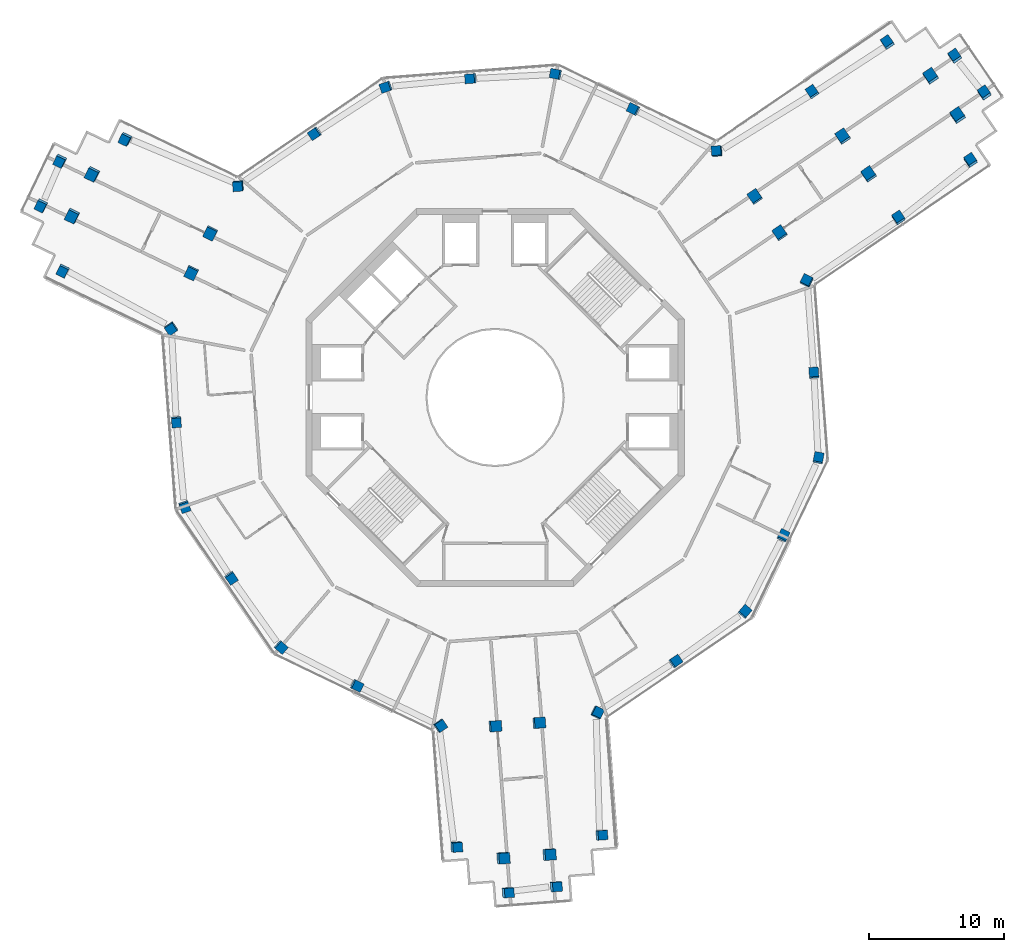
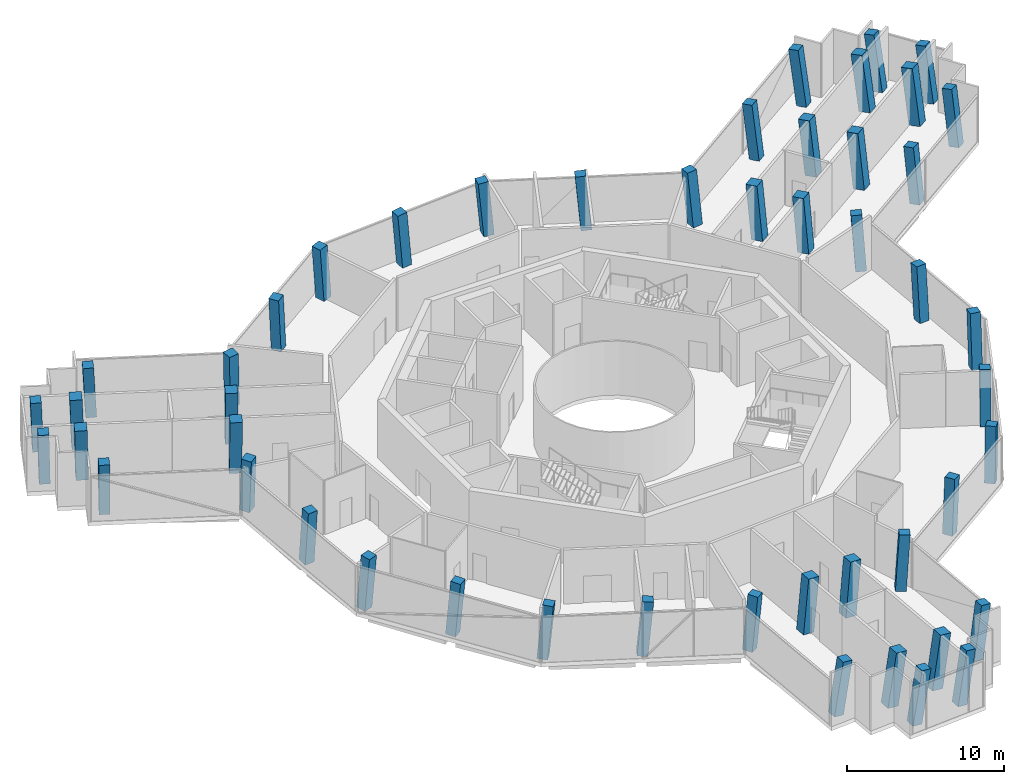
# One storey, part 1 of 19: 49 columns.
"""IFC4 building model written with IfcOpenShell, lengths in metres."""

from ifc_helpers import new_model, si_unit, direction, frame, origin, origin_2d, place, context, subcontext, project, spatial, rectangle, extrude, material, material_profile, profile_set, type_object, element, save


model = new_model("IFC4")

# Units and contexts
model_context = context("Model", 3, precision=1e-05, world=origin(), true_north=direction((0.0, 1.0)))
body_context = subcontext(model_context, "Body", "Model", "MODEL_VIEW")
ifc_project = project(units=[si_unit("LENGTHUNIT", "METRE"), si_unit("AREAUNIT", "SQUARE_METRE"), si_unit("VOLUMEUNIT", "CUBIC_METRE"), si_unit("PLANEANGLEUNIT", "RADIAN"), si_unit("MASSUNIT", "GRAM", prefix="KILO")], contexts=[model_context])

# Site, building, storey
site_placement = place(None, origin())
site = spatial("IfcSite", under=ifc_project, at=site_placement, CompositionType="ELEMENT")
building_placement = place(site_placement, origin())
building = spatial("IfcBuilding", under=site, at=building_placement, Name="Verdalira Terraces Hotel", CompositionType="ELEMENT")
storey_placement = place(building_placement, frame((0.0, 0.0, 295.0)))
storey = spatial("IfcBuildingStorey", under=building, at=storey_placement, Name="L73", CompositionType="ELEMENT", Elevation=295.0)

# Columns
ifc_material_1 = material(Name="Concrete C50", Category="concrete")
ifc_material_profile_1 = material_profile(ifc_material_1, rectangle(XDim=0.699951, YDim=0.699951, at=origin_2d()), Name="RC 700X700")
ifc_profile_set_1 = profile_set([ifc_material_profile_1], Name="Concrete C50")
column_type_1 = type_object("IfcColumnType", Name="Column RC 700X700 C50", PredefinedType="COLUMN", material=ifc_profile_set_1)
column_1_placement = place(storey_placement, frame((-27.330811, 19.144531, 0.0), z_axis=(-0.10306672, -0.086091025, 0.990941767), x_axis=(-0.896847631, 0.438888096, -0.055150383)))
element("IfcColumn", 1, at=column_1_placement, inside=storey, type_object=column_type_1, Name="Column C01", PredefinedType="COLUMN", context=body_context, shape_type="SweptSolid", body=[
    extrude(rectangle(XDim=0.699951, YDim=0.699951, at=origin_2d()), origin(), (0.0, 0.0, 1.0), 4.228271),
])
column_2_placement = place(storey_placement, frame((-31.966064, 9.412109, 0.0), z_axis=(-0.067135487, -0.103102992, 0.992402438), x_axis=(0.900298764, -0.434988788, 0.015712729)))
element("IfcColumn", 2, at=column_2_placement, inside=storey, type_object=column_type_1, Name="Column C02", PredefinedType="COLUMN", context=body_context, shape_type="SweptSolid", body=[
    extrude(rectangle(XDim=0.699951, YDim=0.699951, at=origin_2d()), origin(), (0.0, 0.0, 1.0), 4.221924),
])
column_3_placement = place(storey_placement, frame((-23.973389, 5.135986, 0.0), z_axis=(-0.018278471, -0.089071279, 0.995857522), x_axis=(-0.566324242, 0.821763084, 0.063105361)))
element("IfcColumn", 3, at=column_3_placement, inside=storey, type_object=column_type_1, Name="Column C03", PredefinedType="COLUMN", context=body_context, shape_type="SweptSolid", body=[
    extrude(rectangle(XDim=0.699951, YDim=0.699951, at=origin_2d()), origin(), (0.0, 0.0, 1.0), 4.207275),
])
column_4_placement = place(storey_placement, frame((-23.591064, -1.781982, 0.0), z_axis=(0.007313464, -0.087471347, 0.996140189), x_axis=(0.074613173, -0.993342185, -0.087773449)))
element("IfcColumn", 4, at=column_4_placement, inside=storey, type_object=column_type_1, Name="Column C04", PredefinedType="COLUMN", context=body_context, shape_type="SweptSolid", body=[
    extrude(rectangle(XDim=0.699951, YDim=0.699951, at=origin_2d()), origin(), (0.0, 0.0, 1.0), 4.206055),
])
column_5_placement = place(storey_placement, frame((-22.976807, -8.05542, 0.0), z_axis=(0.030581945, -0.084956294, 0.995915244), x_axis=(-0.329386102, 0.939868366, 0.090289813)))
element("IfcColumn", 5, at=column_5_placement, inside=storey, type_object=column_type_1, Name="Column C05", PredefinedType="COLUMN", context=body_context, shape_type="SweptSolid", body=[
    extrude(rectangle(XDim=0.699951, YDim=0.699951, at=origin_2d()), origin(), (0.0, 0.0, 1.0), 4.207031),
])
column_6_placement = place(storey_placement, frame((-19.539551, -13.338867, 0.0), z_axis=(0.050091388, -0.072089807, 0.996139505), x_axis=(0.561488906, -0.822815086, -0.087781218)))
element("IfcColumn", 6, at=column_6_placement, inside=storey, type_object=column_type_1, Name="Column C06", PredefinedType="COLUMN", context=body_context, shape_type="SweptSolid", body=[
    extrude(rectangle(XDim=0.699951, YDim=0.699951, at=origin_2d()), origin(), (0.0, 0.0, 1.0), 4.206299),
])
column_7_placement = place(storey_placement, frame((-15.87085, -18.4646, 0.0), z_axis=(0.068940137, -0.05826254, 0.995918036), x_axis=(-0.755201666, 0.649248608, 0.090259013)))
element("IfcColumn", 7, at=column_7_placement, inside=storey, type_object=column_type_1, Name="Column C07", PredefinedType="COLUMN", context=body_context, shape_type="SweptSolid", body=[
    extrude(rectangle(XDim=0.699951, YDim=0.699951, at=origin_2d()), origin(), (0.0, 0.0, 1.0), 4.207031),
])
column_8_placement = place(storey_placement, frame((-10.252197, -21.321533, 0.0), z_axis=(0.079403422, -0.037379974, 0.996141473), x_axis=(0.897653527, -0.43187559, -0.08775888)))
element("IfcColumn", 8, at=column_8_placement, inside=storey, type_object=column_type_1, Name="Column C08", PredefinedType="COLUMN", context=body_context, shape_type="SweptSolid", body=[
    extrude(rectangle(XDim=0.699951, YDim=0.699951, at=origin_2d()), origin(), (0.0, 0.0, 1.0), 4.206055),
])
column_9_placement = place(storey_placement, frame((-4.082031, -24.28833, 0.0), z_axis=(0.090170607, -0.014390161, 0.995822366), x_axis=(-0.559158455, 0.82669577, 0.062577368)))
element("IfcColumn", 9, at=column_9_placement, inside=storey, type_object=column_type_1, Name="Column C09", PredefinedType="COLUMN", context=body_context, shape_type="SweptSolid", body=[
    extrude(rectangle(XDim=0.699951, YDim=0.699951, at=origin_2d()), origin(), (0.0, 0.0, 1.0), 4.20752),
])
column_10_placement = place(storey_placement, frame((-2.914307, -33.241455, 0.0), z_axis=(0.126105048, -0.046192325, 0.990940859), x_axis=(0.068515863, -0.996124344, -0.055153136)))
element("IfcColumn", 10, at=column_10_placement, inside=storey, type_object=column_type_1, Name="Column C10", PredefinedType="COLUMN", context=body_context, shape_type="SweptSolid", body=[
    extrude(rectangle(XDim=0.699951, YDim=0.699951, at=origin_2d()), origin(), (0.0, 0.0, 1.0), 4.228271),
])
column_11_placement = place(storey_placement, frame((0.891357, -36.624268, 0.0), z_axis=(0.138311783, -0.032068954, 0.989869402), x_axis=(0.987548826, 0.08010113, -0.135392487)))
element("IfcColumn", 11, at=column_11_placement, inside=storey, type_object=column_type_1, Name="Column C11", PredefinedType="COLUMN", context=body_context, shape_type="SweptSolid", body=[
    extrude(rectangle(XDim=0.699951, YDim=0.699951, at=origin_2d()), origin(), (0.0, 0.0, 1.0), 4.23291),
])
column_12_placement = place(storey_placement, frame((4.449219, -36.195068, 0.0), z_axis=(0.136659784, -0.018929227, 0.99043717), x_axis=(0.987751433, 0.078610587, -0.134786803)))
element("IfcColumn", 12, at=column_12_placement, inside=storey, type_object=column_type_1, Name="Column C12", PredefinedType="COLUMN", context=body_context, shape_type="SweptSolid", body=[
    extrude(rectangle(XDim=0.699951, YDim=0.699951, at=origin_2d()), origin(), (0.0, 0.0, 1.0), 4.230469),
])
column_13_placement = place(storey_placement, frame((7.832031, -32.389404, 0.0), z_axis=(0.122822053, -0.006592144, 0.992406815), x_axis=(-0.073402114, 0.997178711, 0.01570822)))
element("IfcColumn", 13, at=column_13_placement, inside=storey, type_object=column_type_1, Name="Column C13", PredefinedType="COLUMN", context=body_context, shape_type="SweptSolid", body=[
    extrude(rectangle(XDim=0.699951, YDim=0.699951, at=origin_2d()), origin(), (0.0, 0.0, 1.0), 4.221924),
])
column_14_placement = place(storey_placement, frame((7.538818, -23.32959, 0.0), z_axis=(0.086228285, 0.028723419, 0.995861259), x_axis=(-0.42819106, -0.901484173, 0.063076948)))
element("IfcColumn", 14, at=column_14_placement, inside=storey, type_object=column_type_1, Name="Column C14", PredefinedType="COLUMN", context=body_context, shape_type="SweptSolid", body=[
    extrude(rectangle(XDim=0.699951, YDim=0.699951, at=origin_2d()), origin(), (0.0, 0.0, 1.0), 4.207275),
])
column_15_placement = place(storey_placement, frame((13.338867, -19.539551, 0.0), z_axis=(0.072089807, 0.050091388, 0.996139505), x_axis=(0.822815086, 0.561488906, -0.087781218)))
element("IfcColumn", 15, at=column_15_placement, inside=storey, type_object=column_type_1, Name="Column C15", PredefinedType="COLUMN", context=body_context, shape_type="SweptSolid", body=[
    extrude(rectangle(XDim=0.699951, YDim=0.699951, at=origin_2d()), origin(), (0.0, 0.0, 1.0), 4.206299),
])
column_16_placement = place(storey_placement, frame((18.4646, -15.87085, 0.0), z_axis=(0.05826254, 0.068940137, 0.995918036), x_axis=(-0.649248608, -0.755201666, 0.090259013)))
element("IfcColumn", 16, at=column_16_placement, inside=storey, type_object=column_type_1, Name="Column C16", PredefinedType="COLUMN", context=body_context, shape_type="SweptSolid", body=[
    extrude(rectangle(XDim=0.699951, YDim=0.699951, at=origin_2d()), origin(), (0.0, 0.0, 1.0), 4.207031),
])
column_17_placement = place(storey_placement, frame((21.321533, -10.252197, 0.0), z_axis=(0.037379974, 0.079403422, 0.996141473), x_axis=(0.43187559, 0.897653527, -0.08775888)))
element("IfcColumn", 17, at=column_17_placement, inside=storey, type_object=column_type_1, Name="Column C17", PredefinedType="COLUMN", context=body_context, shape_type="SweptSolid", body=[
    extrude(rectangle(XDim=0.699951, YDim=0.699951, at=origin_2d()), origin(), (0.0, 0.0, 1.0), 4.206055),
])
column_18_placement = place(storey_placement, frame((23.92627, -4.512207, 0.0), z_axis=(0.015958359, 0.088844536, 0.995917657), x_axis=(-0.184343741, -0.978708302, 0.090263194)))
element("IfcColumn", 18, at=column_18_placement, inside=storey, type_object=column_type_1, Name="Column C18", PredefinedType="COLUMN", context=body_context, shape_type="SweptSolid", body=[
    extrude(rectangle(XDim=0.699951, YDim=0.699951, at=origin_2d()), origin(), (0.0, 0.0, 1.0), 4.207031),
])
column_19_placement = place(storey_placement, frame((23.591064, 1.781982, 0.0), z_axis=(-0.007313464, 0.087471347, 0.996140189), x_axis=(-0.074613173, 0.993342185, -0.087773449)))
element("IfcColumn", 19, at=column_19_placement, inside=storey, type_object=column_type_1, Name="Column C19", PredefinedType="COLUMN", context=body_context, shape_type="SweptSolid", body=[
    extrude(rectangle(XDim=0.699951, YDim=0.699951, at=origin_2d()), origin(), (0.0, 0.0, 1.0), 4.206055),
])
column_20_placement = place(storey_placement, frame((23.075439, 8.609131, 0.0), z_axis=(-0.032667907, 0.085296312, 0.995819937), x_axis=(-0.435988525, -0.897772692, 0.06259552)))
element("IfcColumn", 20, at=column_20_placement, inside=storey, type_object=column_type_1, Name="Column C20", PredefinedType="COLUMN", context=body_context, shape_type="SweptSolid", body=[
    extrude(rectangle(XDim=0.699951, YDim=0.699951, at=origin_2d()), origin(), (0.0, 0.0, 1.0), 4.20752),
])
column_21_placement = place(storey_placement, frame((29.869141, 13.24707, 0.0), z_axis=(-0.03485835, 0.120472308, 0.99210449), x_axis=(0.827963617, 0.55943505, -0.038841661)))
element("IfcColumn", 21, at=column_21_placement, inside=storey, type_object=column_type_1, Name="Column C21", PredefinedType="COLUMN", context=body_context, shape_type="SweptSolid", body=[
    extrude(rectangle(XDim=0.699951, YDim=0.699951, at=origin_2d()), origin(), (0.0, 0.0, 1.0), 4.223389),
])
column_22_placement = place(storey_placement, frame((35.200439, 17.479736, 0.0), z_axis=(-0.035579144, 0.150031146, 0.98804088), x_axis=(0.829073809, 0.556462773, -0.054642488)))
element("IfcColumn", 22, at=column_22_placement, inside=storey, type_object=column_type_1, Name="Column C22", PredefinedType="COLUMN", context=body_context, shape_type="SweptSolid", body=[
    extrude(rectangle(XDim=0.699951, YDim=0.699951, at=origin_2d()), origin(), (0.0, 0.0, 1.0), 4.240723),
])
column_23_placement = place(storey_placement, frame((36.227295, 22.467041, 0.0), z_axis=(-0.053870527, 0.153447637, 0.98668728), x_axis=(-0.562357667, 0.811860057, -0.156962104)))
element("IfcColumn", 23, at=column_23_placement, inside=storey, type_object=column_type_1, Name="Column C23", PredefinedType="COLUMN", context=body_context, shape_type="SweptSolid", body=[
    extrude(rectangle(XDim=0.699951, YDim=0.699951, at=origin_2d()), origin(), (0.0, 0.0, 1.0), 4.246582),
])
column_24_placement = place(storey_placement, frame((34.050537, 25.19458, 0.0), z_axis=(-0.063856178, 0.145488536, 0.987297055), x_axis=(-0.560650782, 0.813206434, -0.15609611)))
element("IfcColumn", 24, at=column_24_placement, inside=storey, type_object=column_type_1, Name="Column C24", PredefinedType="COLUMN", context=body_context, shape_type="SweptSolid", body=[
    extrude(rectangle(XDim=0.699951, YDim=0.699951, at=origin_2d()), origin(), (0.0, 0.0, 1.0), 4.243896),
])
column_25_placement = place(storey_placement, frame((29.063232, 26.221436, 0.0), z_axis=(-0.06763421, 0.127369113, 0.989546726), x_axis=(-0.827049902, -0.561906478, 0.015797802)))
element("IfcColumn", 25, at=column_25_placement, inside=storey, type_object=column_type_1, Name="Column C25", PredefinedType="COLUMN", context=body_context, shape_type="SweptSolid", body=[
    extrude(rectangle(XDim=0.699951, YDim=0.699951, at=origin_2d()), origin(), (0.0, 0.0, 1.0), 4.234131),
])
column_26_placement = place(storey_placement, frame((23.498047, 22.57959, 0.0), z_axis=(-0.069193826, 0.09679036, 0.992896692), x_axis=(-0.825870245, -0.563854273, -0.002587846)))
element("IfcColumn", 26, at=column_26_placement, inside=storey, type_object=column_type_1, Name="Column C26", PredefinedType="COLUMN", context=body_context, shape_type="SweptSolid", body=[
    extrude(rectangle(XDim=0.699951, YDim=0.699951, at=origin_2d()), origin(), (0.0, 0.0, 1.0), 4.219971),
])
column_27_placement = place(storey_placement, frame((16.43457, 18.193604, 0.0), z_axis=(-0.067949789, 0.060348233, 0.995861897), x_axis=(0.994849387, 0.079351157, 0.063072103)))
element("IfcColumn", 27, at=column_27_placement, inside=storey, type_object=column_type_1, Name="Column C27", PredefinedType="COLUMN", context=body_context, shape_type="SweptSolid", body=[
    extrude(rectangle(XDim=0.699951, YDim=0.699951, at=origin_2d()), origin(), (0.0, 0.0, 1.0), 4.207275),
])
column_28_placement = place(storey_placement, frame((10.252197, 21.321533, 0.0), z_axis=(-0.079403422, 0.037379974, 0.996141473), x_axis=(-0.897653527, 0.43187559, -0.08775888)))
element("IfcColumn", 28, at=column_28_placement, inside=storey, type_object=column_type_1, Name="Column C28", PredefinedType="COLUMN", context=body_context, shape_type="SweptSolid", body=[
    extrude(rectangle(XDim=0.699951, YDim=0.699951, at=origin_2d()), origin(), (0.0, 0.0, 1.0), 4.206055),
])
column_29_placement = place(storey_placement, frame((4.512207, 23.92627, 0.0), z_axis=(-0.088844536, 0.015958359, 0.995917657), x_axis=(0.978708302, -0.184343741, 0.090263194)))
element("IfcColumn", 29, at=column_29_placement, inside=storey, type_object=column_type_1, Name="Column C29", PredefinedType="COLUMN", context=body_context, shape_type="SweptSolid", body=[
    extrude(rectangle(XDim=0.699951, YDim=0.699951, at=origin_2d()), origin(), (0.0, 0.0, 1.0), 4.207031),
])
column_30_placement = place(storey_placement, frame((-1.781982, 23.591064, 0.0), z_axis=(-0.087471347, -0.007313464, 0.996140189), x_axis=(-0.993342185, -0.074613173, -0.087773449)))
element("IfcColumn", 30, at=column_30_placement, inside=storey, type_object=column_type_1, Name="Column C30", PredefinedType="COLUMN", context=body_context, shape_type="SweptSolid", body=[
    extrude(rectangle(XDim=0.699951, YDim=0.699951, at=origin_2d()), origin(), (0.0, 0.0, 1.0), 4.206055),
])
column_31_placement = place(storey_placement, frame((-8.05542, 22.976807, 0.0), z_axis=(-0.084956294, -0.030581945, 0.995915244), x_axis=(0.939868366, 0.329386102, 0.090289813)))
element("IfcColumn", 31, at=column_31_placement, inside=storey, type_object=column_type_1, Name="Column C31", PredefinedType="COLUMN", context=body_context, shape_type="SweptSolid", body=[
    extrude(rectangle(XDim=0.699951, YDim=0.699951, at=origin_2d()), origin(), (0.0, 0.0, 1.0), 4.207031),
])
column_32_placement = place(storey_placement, frame((-13.338867, 19.539551, 0.0), z_axis=(-0.072089807, -0.050091388, 0.996139505), x_axis=(-0.822815086, -0.561488906, -0.087781218)))
element("IfcColumn", 32, at=column_32_placement, inside=storey, type_object=column_type_1, Name="Column C32", PredefinedType="COLUMN", context=body_context, shape_type="SweptSolid", body=[
    extrude(rectangle(XDim=0.699951, YDim=0.699951, at=origin_2d()), origin(), (0.0, 0.0, 1.0), 4.206299),
])
column_33_placement = place(storey_placement, frame((-18.993408, 15.679199, 0.0), z_axis=(-0.057560792, -0.070848515, 0.995824906), x_axis=(0.995550487, 0.070467558, 0.062558383)))
element("IfcColumn", 33, at=column_33_placement, inside=storey, type_object=column_type_1, Name="Column C33", PredefinedType="COLUMN", context=body_context, shape_type="SweptSolid", body=[
    extrude(rectangle(XDim=0.699951, YDim=0.699951, at=origin_2d()), origin(), (0.0, 0.0, 1.0), 4.20752),
])
column_34_placement = place(storey_placement, frame((-32.16333, 17.540283, 0.0), z_axis=(-0.096899117, -0.103762804, 0.989870619), x_axis=(-0.424202689, -0.895389939, -0.135384397)))
element("IfcColumn", 34, at=column_34_placement, inside=storey, type_object=column_type_1, Name="Column C34", PredefinedType="COLUMN", context=body_context, shape_type="SweptSolid", body=[
    extrude(rectangle(XDim=0.699951, YDim=0.699951, at=origin_2d()), origin(), (0.0, 0.0, 1.0), 4.23291),
])
column_35_placement = place(storey_placement, frame((-33.570312, 14.244385, 0.0), z_axis=(-0.084777018, -0.108900091, 0.990431031), x_axis=(-0.426014043, -0.894613294, -0.134829852)))
element("IfcColumn", 35, at=column_35_placement, inside=storey, type_object=column_type_1, Name="Column C35", PredefinedType="COLUMN", context=body_context, shape_type="SweptSolid", body=[
    extrude(rectangle(XDim=0.699951, YDim=0.699951, at=origin_2d()), origin(), (0.0, 0.0, 1.0), 4.230469),
])
ifc_material_2 = material(Name="Concrete C50", Category="concrete")
ifc_material_profile_2 = material_profile(ifc_material_2, rectangle(XDim=0.800049, YDim=0.800049, at=origin_2d()), Name="RC 800X800")
ifc_profile_set_2 = profile_set([ifc_material_profile_2], Name="Concrete C50")
column_type_2 = type_object("IfcColumnType", Name="Column RC 800X800 C50", PredefinedType="COLUMN", material=ifc_profile_set_2)
for number, where, z_axis, x_axis, name in (
    (36, (-21.057861, 12.185303, 0.0), (-0.044509568, -0.078457544, 0.995923347), (-0.901044746, 0.433683183, -0.00610428), "Column C36"),
    (37, (-22.468994, 9.250488, 0.0), (-0.033600044, -0.083622908, 0.995930844), (-0.901493047, 0.432753067, 0.005921961), "Column C37"),
):
    element("IfcColumn", number, at=place(storey_placement, frame(where, z_axis=z_axis, x_axis=x_axis)), inside=storey, type_object=column_type_2, Name=name, PredefinedType="COLUMN", context=body_context, shape_type="SweptSolid", body=[
        extrude(rectangle(XDim=0.800049, YDim=0.800049, at=origin_2d()), origin(), (0.0, 0.0, 1.0), 4.207031),
    ])
column_36_placement = place(storey_placement, frame((-29.779297, 16.567383, 0.0), z_axis=(-0.093494091, -0.095053288, 0.991072009), x_axis=(-0.897991621, 0.43793471, -0.0427111)))
element("IfcColumn", 38, at=column_36_placement, inside=storey, type_object=column_type_2, Name="Column C38", PredefinedType="COLUMN", context=body_context, shape_type="SweptSolid", body=[
    extrude(rectangle(XDim=0.800049, YDim=0.800049, at=origin_2d()), origin(), (0.0, 0.0, 1.0), 4.227783),
])
column_37_placement = place(storey_placement, frame((-31.26416, 13.479492, 0.0), z_axis=(-0.082098814, -0.10052916, 0.99154106), x_axis=(-0.899185189, 0.436525282, -0.030193926)))
element("IfcColumn", 39, at=column_37_placement, inside=storey, type_object=column_type_2, Name="Column C39", PredefinedType="COLUMN", context=body_context, shape_type="SweptSolid", body=[
    extrude(rectangle(XDim=0.800049, YDim=0.800049, at=origin_2d()), origin(), (0.0, 0.0, 1.0), 4.225586),
])
for number, where, z_axis, x_axis, name in (
    (40, (-0.023926, -24.329102, 0.0), (0.090237485, 0.000638336, 0.995920072), (0.074452031, -0.997205898, -0.006106727), "Column C40"),
    (41, (3.223389, -24.083984, 0.0), (0.089194109, 0.012708855, 0.995933178), (0.075965993, -0.997092833, 0.005920266), "Column C41"),
):
    element("IfcColumn", number, at=place(storey_placement, frame(where, z_axis=z_axis, x_axis=x_axis)), inside=storey, type_object=column_type_2, Name=name, PredefinedType="COLUMN", context=body_context, shape_type="SweptSolid", body=[
        extrude(rectangle(XDim=0.800049, YDim=0.800049, at=origin_2d()), origin(), (0.0, 0.0, 1.0), 4.207031),
    ])
column_38_placement = place(storey_placement, frame((0.541748, -34.073486, 0.0), z_axis=(0.129123925, -0.033378188, 0.991066551), x_axis=(0.070299654, -0.996610561, -0.042724096)))
element("IfcColumn", 42, at=column_38_placement, inside=storey, type_object=column_type_2, Name="Column C42", PredefinedType="COLUMN", context=body_context, shape_type="SweptSolid", body=[
    extrude(rectangle(XDim=0.800049, YDim=0.800049, at=origin_2d()), origin(), (0.0, 0.0, 1.0), 4.227783),
])
column_39_placement = place(storey_placement, frame((3.958496, -33.815186, 0.0), z_axis=(0.128088322, -0.020856962, 0.991543428), x_axis=(0.071358222, -0.996993774, -0.030189717)))
element("IfcColumn", 43, at=column_39_placement, inside=storey, type_object=column_type_2, Name="Column C43", PredefinedType="COLUMN", context=body_context, shape_type="SweptSolid", body=[
    extrude(rectangle(XDim=0.800049, YDim=0.800049, at=origin_2d()), origin(), (0.0, 0.0, 1.0), 4.225586),
])
for number, where, z_axis, x_axis, name in (
    (44, (21.081787, 12.144043, 0.0), (-0.045728186, 0.077761129, 0.995922758), (0.82586059, 0.563841306, -0.00610472), "Column C44"),
    (45, (19.245605, 14.833496, 0.0), (-0.055593919, 0.070914163, 0.995931974), (0.825664256, 0.564130727, 0.00592114), "Column C45"),
):
    element("IfcColumn", number, at=place(storey_placement, frame(where, z_axis=z_axis, x_axis=x_axis)), inside=storey, type_object=column_type_2, Name=name, PredefinedType="COLUMN", context=body_context, shape_type="SweptSolid", body=[
        extrude(rectangle(XDim=0.800049, YDim=0.800049, at=origin_2d()), origin(), (0.0, 0.0, 1.0), 4.207031),
    ])
column_40_placement = place(storey_placement, frame((27.665527, 16.474854, 0.0), z_axis=(-0.046730788, 0.112373665, 0.992566568), x_axis=(0.827525913, 0.560890908, -0.024540852)))
element("IfcColumn", 46, at=column_40_placement, inside=storey, type_object=column_type_2, Name="Column C46", PredefinedType="COLUMN", context=body_context, shape_type="SweptSolid", body=[
    extrude(rectangle(XDim=0.800049, YDim=0.800049, at=origin_2d()), origin(), (0.0, 0.0, 1.0), 4.221436),
])
column_41_placement = place(storey_placement, frame((25.753418, 19.276123, 0.0), z_axis=(-0.05709749, 0.105170453, 0.992813705), x_axis=(0.826474008, 0.562845003, -0.012091969)))
element("IfcColumn", 47, at=column_41_placement, inside=storey, type_object=column_type_2, Name="Column C47", PredefinedType="COLUMN", context=body_context, shape_type="SweptSolid", body=[
    extrude(rectangle(XDim=0.800049, YDim=0.800049, at=origin_2d()), origin(), (0.0, 0.0, 1.0), 4.220215),
])
column_42_placement = place(storey_placement, frame((34.249512, 20.805908, 0.0), z_axis=(-0.047727821, 0.146465112, 0.988063776), x_axis=(0.828907176, 0.557758721, -0.042639211)))
element("IfcColumn", 48, at=column_42_placement, inside=storey, type_object=column_type_2, Name="Column C48", PredefinedType="COLUMN", context=body_context, shape_type="SweptSolid", body=[
    extrude(rectangle(XDim=0.800049, YDim=0.800049, at=origin_2d()), origin(), (0.0, 0.0, 1.0), 4.240479),
])
column_43_placement = place(storey_placement, frame((32.260986, 23.71875, 0.0), z_axis=(-0.058465114, 0.13910665, 0.988550034), x_axis=(0.828001318, 0.559932522, -0.029822614)))
element("IfcColumn", 49, at=column_43_placement, inside=storey, type_object=column_type_2, Name="Column C49", PredefinedType="COLUMN", context=body_context, shape_type="SweptSolid", body=[
    extrude(rectangle(XDim=0.800049, YDim=0.800049, at=origin_2d()), origin(), (0.0, 0.0, 1.0), 4.238525),
])

save(model, "model.ifc")
